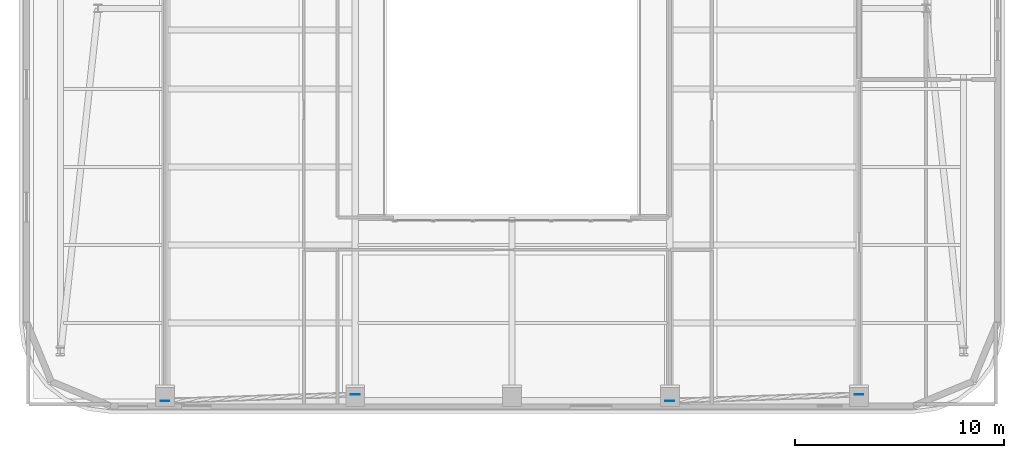
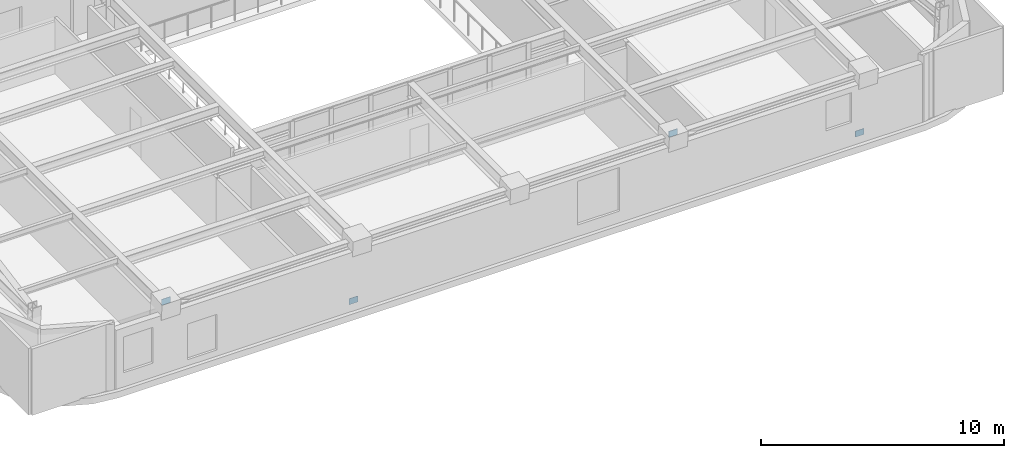
# One storey, part 5 of 13: 4 plates.
"""IFC4 building model written with IfcOpenShell, lengths in metres."""

from ifc_helpers import new_model, si_unit, direction, frame, origin, origin_2d, place, context, subcontext, project, spatial, rectangle, extrude, material, layer, layer_set, type_object, element, save


model = new_model("IFC4")

# Units and contexts
model_context = context("Model", 3, precision=1e-05, world=origin(), true_north=direction((0.0, 1.0)))
body_context = subcontext(model_context, "Body", "Model", "MODEL_VIEW")
ifc_project = project(units=[si_unit("LENGTHUNIT", "METRE"), si_unit("AREAUNIT", "SQUARE_METRE"), si_unit("VOLUMEUNIT", "CUBIC_METRE"), si_unit("PLANEANGLEUNIT", "RADIAN"), si_unit("MASSUNIT", "GRAM", prefix="KILO")], contexts=[model_context])

# Site, building, storey
site_placement = place(None, origin())
site = spatial("IfcSite", under=ifc_project, at=site_placement, CompositionType="ELEMENT")
building_placement = place(site_placement, origin())
building = spatial("IfcBuilding", under=site, at=building_placement, Name="Zarnavel Station Tower", CompositionType="ELEMENT")
storey_placement = place(building_placement, frame((0.0, 0.0, 232.800048828125)))
storey = spatial("IfcBuildingStorey", under=building, at=storey_placement, Name="L63", CompositionType="ELEMENT", Elevation=232.800048828125)

# Plates
ifc_material = material(Name="Steel S460M", Category="steel")
ifc_layer = layer(ifc_material, 0.02490234375)
ifc_layer_set = layer_set([ifc_layer], Name="GP_GUSSET_25")
plate_type = type_object("IfcPlateType", Name="GP_GUSSET_25", PredefinedType="USERDEFINED", material=ifc_layer_set)
for number, where, z_axis, x_axis, name in (
    (1, (21.300048828125, 5.131591796875, -0.14990234375), (0.0, 0.0, 1.0), (1.0, 0.0, 0.0), "L63 Exterior Diagonal Brace End Gusset 1-1"),
    (2, (12.199951171875, 4.8291015625, 3.18994140625), (0.0, 0.0, 1.0), (1.0, 0.0, 0.0), "L63 Exterior Diagonal Brace End Gusset 1-2"),
    (3, (45.39990234375, 5.131591796875, -0.14990234375), (0.0, 0.0, 1.0), (1.0, 0.0, 0.0), "L63 Exterior Diagonal Brace End Gusset 2-1"),
    (4, (36.35009765625, 4.8291015625, 3.18994140625), (0.0, 0.0, 1.0), (1.0, 0.0, 0.0), "L63 Exterior Diagonal Brace End Gusset 2-2"),
):
    element("IfcPlate", number, at=place(storey_placement, frame(where, z_axis=z_axis, x_axis=x_axis)), inside=storey, type_object=plate_type, Name=name, ObjectType="GUSSET_PLATE", PredefinedType="USERDEFINED", context=body_context, shape_type="SweptSolid", body=[
        extrude(rectangle(XDim=0.419921875, YDim=0.02490234375, at=origin_2d()), origin(), (0.0, 0.0, 1.0), 0.300048828125),
    ])

save(model, "model.ifc")
